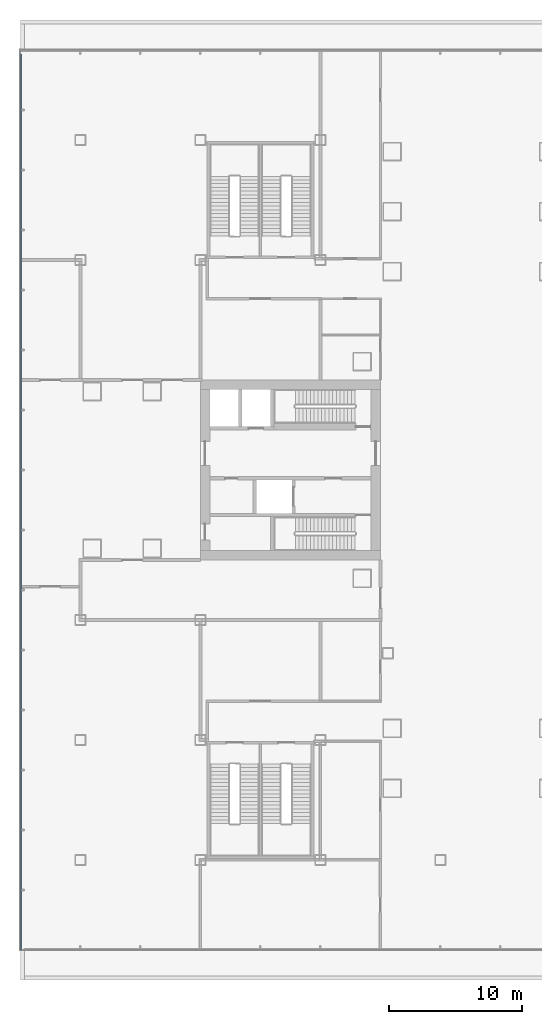
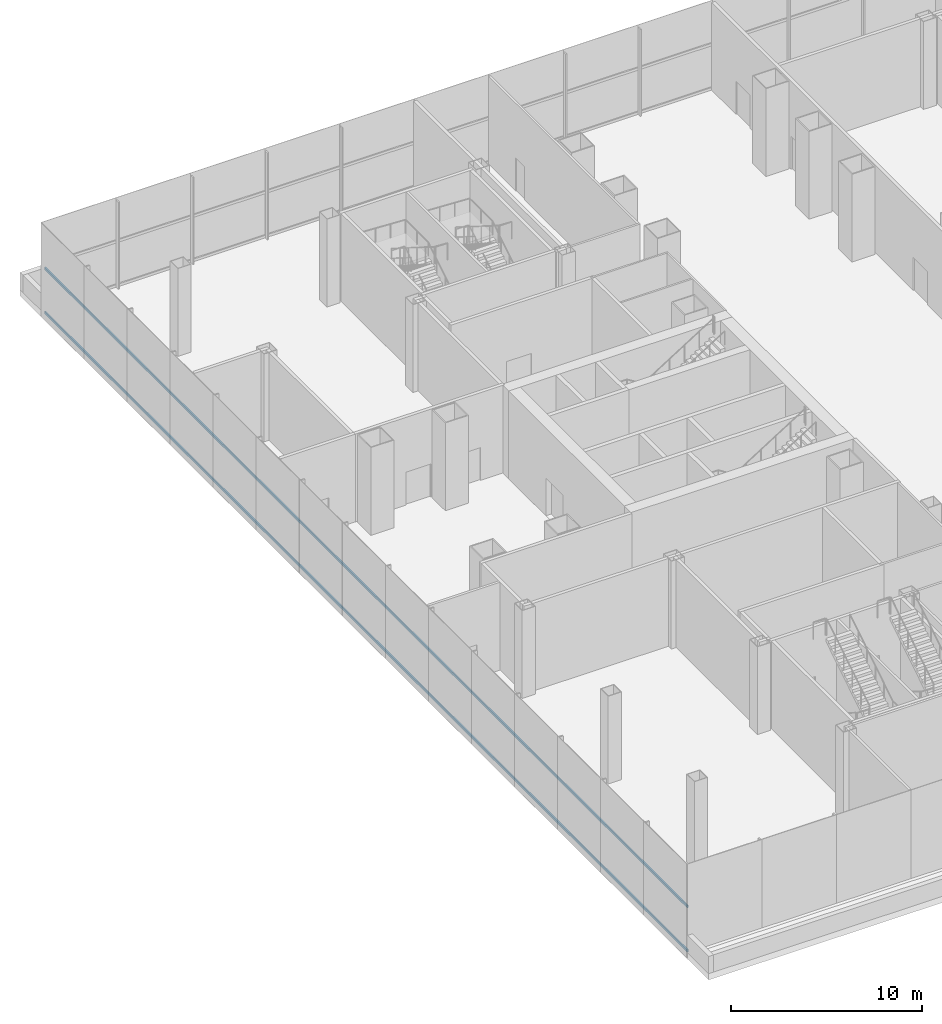
# One storey, part 6 of 38: 2 members, 1 element without a shape of its own.
"""IFC4 building model written with IfcOpenShell, lengths in metres."""

from ifc_helpers import new_model, si_unit, direction, frame, origin, origin_2d, place, context, subcontext, project, spatial, rectangle, extrude, material, layer, layer_set, material_profile, profile_set, type_object, element, aggregate, save


model = new_model("IFC4")

# Units and contexts
model_context = context("Model", 3, precision=1e-05, world=origin(), true_north=direction((0.0, 1.0)))
body_context = subcontext(model_context, "Body", "Model", "MODEL_VIEW")
ifc_project = project(units=[si_unit("LENGTHUNIT", "METRE"), si_unit("AREAUNIT", "SQUARE_METRE"), si_unit("VOLUMEUNIT", "CUBIC_METRE"), si_unit("PLANEANGLEUNIT", "RADIAN"), si_unit("MASSUNIT", "GRAM", prefix="KILO")], contexts=[model_context])

# Site, building, storey
site_placement = place(None, origin())
site = spatial("IfcSite", under=ifc_project, at=site_placement, CompositionType="ELEMENT")
building_placement = place(site_placement, origin())
building = spatial("IfcBuilding", under=site, at=building_placement, Name="Shamsa Quay Exchange Towers", CompositionType="ELEMENT")
storey_placement = place(building_placement, frame((0.0, 0.0, 12.5)))
storey = spatial("IfcBuildingStorey", under=building, at=storey_placement, Name="L02", CompositionType="ELEMENT", Elevation=12.5)

# Curtain wall, members
ifc_material = material(Name="Aluminium EN AW-6063 T6, black anodised", Category="aluminium")
ifc_layer = layer(ifc_material, 0.33203125)
ifc_layer_set = layer_set([ifc_layer], Name="CW-3 PODIUM SHOPFRONT GLAZING")
curtain_wall_type = type_object("IfcCurtainWallType", Name="CW-3 PODIUM SHOPFRONT GLAZING", PredefinedType="NOTDEFINED", material=ifc_layer_set)
curtain_wall_placement = place(storey_placement, origin())
curtain_wall = element("IfcCurtainWall", 1, at=curtain_wall_placement, inside=storey, type_object=curtain_wall_type, Name="CW3 PODIUM-L02-F02", PredefinedType="NOTDEFINED")
ifc_material_profile = material_profile(ifc_material, rectangle(XDim=0.080078125, YDim=0.159912109375, at=origin_2d()), Name="TR160x80")
ifc_profile_set = profile_set([ifc_material_profile], Name="Aluminium EN AW-6063 T6, black anodised")
member_type = type_object("IfcMemberType", Name="CW3 TRANSOM 160x80", PredefinedType="USERDEFINED", material=ifc_profile_set)
member_1_placement = place(storey_placement, frame((-67.4599609375, 31.197998046875, 0.080078125), z_axis=(0.0, -1.0, 0.0), x_axis=(1.0, 0.0, 0.0)))
member_1 = element("IfcMember", 2, at=member_1_placement, type_object=member_type, Name="CW3 transom", ObjectType="TRANSOM", PredefinedType="USERDEFINED", context=body_context, shape_type="SweptSolid", body=[
    extrude(rectangle(XDim=0.080078125, YDim=0.159912109375, at=origin_2d()), origin(), (0.0, 0.0, 1.0), 67.197998046875),
])
member_2_placement = place(storey_placement, frame((-67.4599609375, 31.197998046875, 2.905029296875), z_axis=(0.0, -1.0, 0.0), x_axis=(1.0, 0.0, 0.0)))
member_2 = element("IfcMember", 3, at=member_2_placement, type_object=member_type, Name="CW3 transom", ObjectType="TRANSOM", PredefinedType="USERDEFINED", context=body_context, shape_type="SweptSolid", body=[
    extrude(rectangle(XDim=0.080078125, YDim=0.159912109375, at=origin_2d()), origin(), (0.0, 0.0, 1.0), 67.197998046875),
])
aggregate(curtain_wall, [member_1, member_2])

save(model, "model.ifc")
